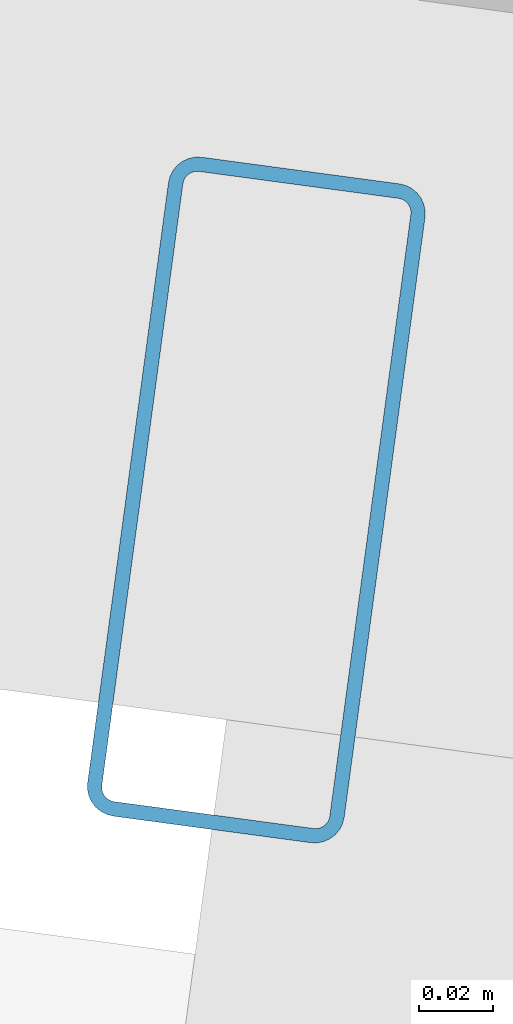
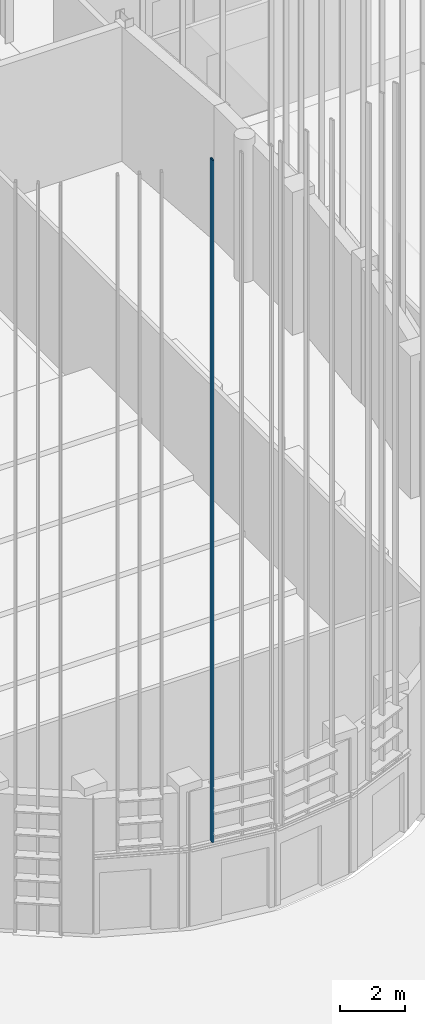
# One storey, part 31 of 372: 1 member.
"""IFC4 building model written with IfcOpenShell, lengths in metres."""

from ifc_helpers import new_model, si_unit, direction, frame, origin, origin_2d, place, context, subcontext, project, spatial, hollow_rectangle, extrude, material, material_profile, profile_set, type_object, element, save


model = new_model("IFC4")

# Units and contexts
model_context = context("Model", 3, precision=1e-05, world=origin(), true_north=direction((0.0, 1.0)))
body_context = subcontext(model_context, "Body", "Model", "MODEL_VIEW")
ifc_project = project(units=[si_unit("LENGTHUNIT", "METRE"), si_unit("AREAUNIT", "SQUARE_METRE"), si_unit("VOLUMEUNIT", "CUBIC_METRE"), si_unit("PLANEANGLEUNIT", "RADIAN"), si_unit("MASSUNIT", "GRAM", prefix="KILO")], contexts=[model_context])

# Site, building, storey
site_placement = place(None, origin())
site = spatial("IfcSite", under=ifc_project, at=site_placement, CompositionType="ELEMENT")
building_placement = place(site_placement, origin())
building = spatial("IfcBuilding", under=site, at=building_placement, Name="Kaelora Sail Theatre", CompositionType="ELEMENT")
storey_placement = place(building_placement, origin())
storey = spatial("IfcBuildingStorey", under=building, at=storey_placement, Name="L00", CompositionType="ELEMENT", Elevation=0.0)

# Member
ifc_material = material(Name="Anodised aluminium 6063-T6", Category="aluminium")
ifc_material_profile = material_profile(ifc_material, hollow_rectangle(XDim=0.070068359375, YDim=0.179931640625, WallThickness=0.00390625, InnerFilletRadius=0.00390625, OuterFilletRadius=0.008056640625, at=origin_2d()), Name="ALU-MULL 70x180x4")
ifc_profile_set = profile_set([ifc_material_profile], Name="Anodised aluminium 6063-T6")
member_type = type_object("IfcMemberType", Name="ARC-MEM-PST-160", PredefinedType="POST", material=ifc_profile_set)
member_placement = place(storey_placement, frame((39.8515625, 23.82666015625, 3.10009765625), z_axis=(0.0, 0.0, 1.0), x_axis=(-0.991053218872, 0.133467289485, 0.0)))
element("IfcMember", 1, at=member_placement, inside=storey, type_object=member_type, Name="Main Theatre Sail Drum solar louvre vertical support post C12-3", PredefinedType="POST", context=body_context, shape_type="SweptSolid", body=[
    extrude(hollow_rectangle(XDim=0.070068359375, YDim=0.179931640625, WallThickness=0.00390625, InnerFilletRadius=0.00390625, OuterFilletRadius=0.008056640625, at=origin_2d()), origin(), (0.0, 0.0, 1.0), 25.814453125),
])

save(model, "model.ifc")
